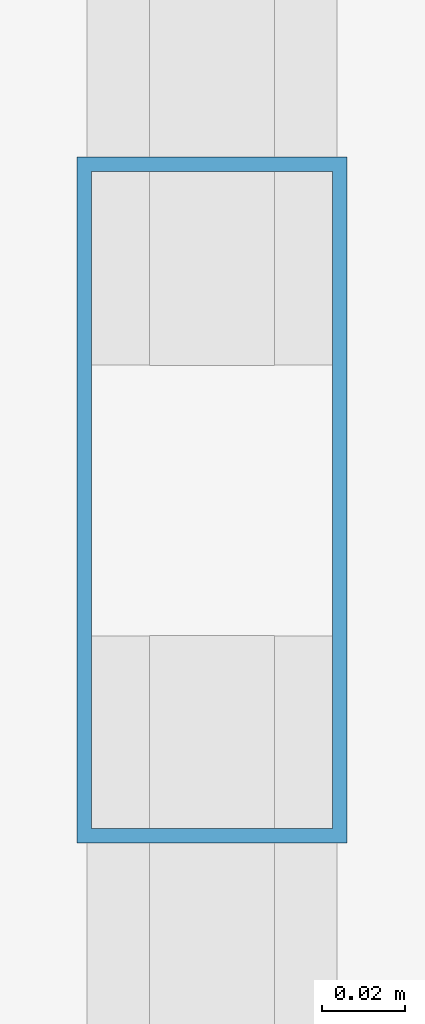
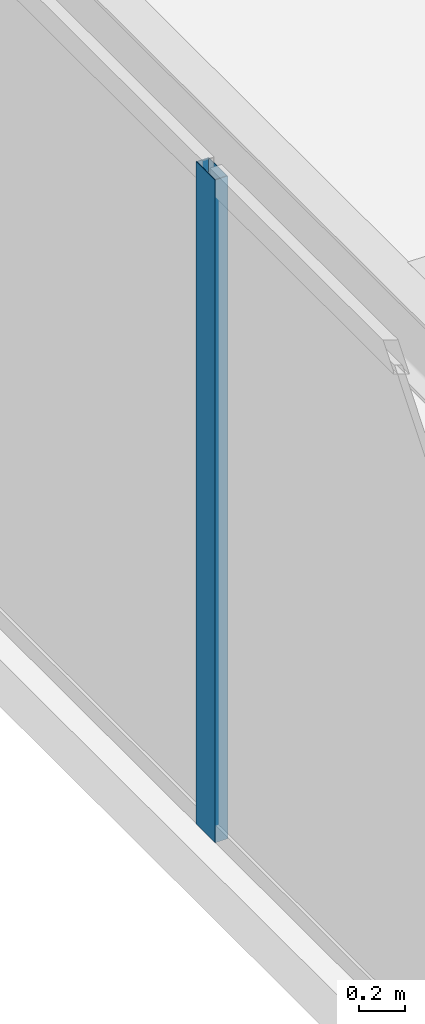
# One storey, part 7 of 29: 1 member, 1 element without a shape of its own.
"""IFC4 building model written with IfcOpenShell, lengths in metres."""

import ifcopenshell
import ifcopenshell.guid

model = None  # the IFC model being written
_history = None  # IfcOwnerHistory: only IFC2X3 demands one
_inside = {}  # id of a spatial element -> (the spatial element, [elements in it])
_under = {}  # id of a project, library or spatial element -> (it, [spatial elements below it])
_declared = {}  # id of a project -> (the project, [libraries it declares])
_typed = {}  # id of a type object -> (the type object, [elements of that type])
_made_of = {}  # id of a material, layer set ... -> (it, [elements and type objects made of it])


def new_model(schema):
    """Start an empty IFC model of exactly this schema.

    Asked for "IFC4X3", IfcOpenShell would pick the latest addendum, in which some entities
    have other attributes; the version numbers below select the first issue.
    IFC2X3 requires an IfcOwnerHistory on every rooted entity: one is made here for all.
    """
    global model, _history
    if schema == "IFC4X3":
        model = ifcopenshell.file(schema_version=(4, 3, 0, 0))
    else:
        model = ifcopenshell.file(schema=schema)
    _inside.clear()
    _under.clear()
    _declared.clear()
    _typed.clear()
    _made_of.clear()
    _history = None
    if model.schema == "IFC2X3":
        org = make("IfcOrganization", Name="unknown")
        user = make(
            "IfcPersonAndOrganization",
            ThePerson=make("IfcPerson", FamilyName="unknown"),
            TheOrganization=org,
        )
        app = make(
            "IfcApplication",
            ApplicationDeveloper=org,
            Version="unknown",
            ApplicationFullName="unknown",
            ApplicationIdentifier="unknown",
        )
        _history = make(
            "IfcOwnerHistory",
            OwningUser=user,
            OwningApplication=app,
            ChangeAction="ADDED",
            CreationDate=0,
        )
    return model


def make(cls, **values):
    """One entity of the class cls with the attributes given. An attribute that is None is left unset."""
    return model.create_entity(
        cls, **{name: value for name, value in values.items() if value is not None}
    )


def rooted(cls, **values):
    """An entity with a GlobalId (a new one), such as an element, a storey or a relation."""
    return make(cls, GlobalId=ifcopenshell.guid.new(), OwnerHistory=_history, **values)


def si_unit(unit_type, name, prefix=None):
    """IfcSIUnit, for example si_unit("LENGTHUNIT", "METRE", prefix="MILLI")."""
    return make("IfcSIUnit", UnitType=unit_type, Prefix=prefix, Name=name)


def assignment(units):
    """IfcUnitAssignment: the units of a project."""
    return None if units is None else make("IfcUnitAssignment", Units=units)


def point(xyz):
    """IfcCartesianPoint."""
    return None if xyz is None else make("IfcCartesianPoint", Coordinates=xyz)


def direction(xyz):
    """IfcDirection."""
    return None if xyz is None else make("IfcDirection", DirectionRatios=xyz)


def frame(location, z_axis=None, x_axis=None):
    """IfcAxis2Placement3D, a coordinate frame: its origin and axes. An axis left out is left unset."""
    return make(
        "IfcAxis2Placement3D",
        Location=point(location),
        Axis=direction(z_axis),
        RefDirection=direction(x_axis),
    )


def frame_2d(location, x_axis=None):
    """IfcAxis2Placement2D, a coordinate frame in the plane: its origin and x axis."""
    return make(
        "IfcAxis2Placement2D", Location=point(location), RefDirection=direction(x_axis)
    )


def origin():
    """The frame at (0, 0, 0) with its axes left unset."""
    return frame((0.0, 0.0, 0.0))


def origin_2d():
    """The frame at (0, 0) in the plane with its x axis left unset."""
    return frame_2d((0.0, 0.0))


def place(relative_to, where):
    """IfcLocalPlacement: puts the frame where relative to a parent placement (None: the world)."""
    return make(
        "IfcLocalPlacement", PlacementRelTo=relative_to, RelativePlacement=where
    )


def context(
    kind, dimensions, precision=None, world=None, true_north=None, identifier=None
):
    """IfcGeometricRepresentationContext, for example the 3D "Model" context."""
    return make(
        "IfcGeometricRepresentationContext",
        ContextIdentifier=identifier,
        ContextType=kind,
        CoordinateSpaceDimension=dimensions,
        Precision=precision,
        WorldCoordinateSystem=world,
        TrueNorth=true_north,
    )


def subcontext(parent, identifier, kind, view, scale=None):
    """IfcGeometricRepresentationSubContext, for example "Body" below "Model"."""
    return make(
        "IfcGeometricRepresentationSubContext",
        ContextIdentifier=identifier,
        ContextType=kind,
        ParentContext=parent,
        TargetScale=scale,
        TargetView=view,
    )


def project(units=None, contexts=None):
    """IfcProject with its units and contexts."""
    return rooted(
        "IfcProject",
        Name="project",
        RepresentationContexts=contexts,
        UnitsInContext=assignment(units),
    )


def spatial(cls, under=None, at=None, **own):
    """A site, building, storey or space (cls), placed at a placement, below another one or the project."""
    s = rooted(cls, ObjectPlacement=at, **own)
    if under is not None:
        _under.setdefault(under.id(), (under, []))[1].append(s)
    return s


def profile(cls, at=None, kind="AREA", **sizes):
    """A parametric profile (cls). Its sizes go by their IFC names, for example OverallWidth=200.0."""
    return make(cls, ProfileType=kind, Position=at, **sizes)


def hollow_rectangle(**sizes):
    """IfcRectangleHollowProfileDef."""
    return profile("IfcRectangleHollowProfileDef", **sizes)


def extrude(swept, where, along, depth):
    """IfcExtrudedAreaSolid: the profile swept, set in the frame where, extruded along a direction by depth."""
    return make(
        "IfcExtrudedAreaSolid",
        SweptArea=swept,
        Position=where,
        ExtrudedDirection=direction(along),
        Depth=depth,
    )


def shape(context_of_items, identifier, shape_type, items):
    """IfcShapeRepresentation: the items that make up one representation, for example the "Body"."""
    return make(
        "IfcShapeRepresentation",
        ContextOfItems=context_of_items,
        RepresentationIdentifier=identifier,
        RepresentationType=shape_type,
        Items=items,
    )


def source(mapping_origin, context_of_items, identifier, shape_type, items):
    """IfcRepresentationMap: a shape defined once, which mapped items show again and again."""
    return make(
        "IfcRepresentationMap",
        MappingOrigin=mapping_origin,
        MappedRepresentation=shape(context_of_items, identifier, shape_type, items),
    )


def transform(
    local_origin,
    x_axis=None,
    y_axis=None,
    z_axis=None,
    scale=None,
    scale2=None,
    scale3=None,
    uniform=True,
):
    """IfcCartesianTransformationOperator3D, or its non-uniform kind. x_axis, y_axis, z_axis: its Axis1, 2, 3."""
    if uniform:
        return make(
            "IfcCartesianTransformationOperator3D",
            Axis1=direction(x_axis),
            Axis2=direction(y_axis),
            LocalOrigin=point(local_origin),
            Scale=scale,
            Axis3=direction(z_axis),
        )
    return make(
        "IfcCartesianTransformationOperator3DnonUniform",
        Axis1=direction(x_axis),
        Axis2=direction(y_axis),
        LocalOrigin=point(local_origin),
        Scale=scale,
        Axis3=direction(z_axis),
        Scale2=scale2,
        Scale3=scale3,
    )


def mapped(mapping_source, mapping_target):
    """IfcMappedItem: shows the shape of a source again, moved by a transform."""
    return make(
        "IfcMappedItem", MappingSource=mapping_source, MappingTarget=mapping_target
    )


def material(Name=None, Category=None):
    """IfcMaterial."""
    return make("IfcMaterial", Name=Name, Category=Category)


def layer(
    of_material, thickness, ventilated=None, Name=None, Category=None, Priority=None
):
    """IfcMaterialLayer: one layer of a wall or slab, of a material (None: an air gap)."""
    return make(
        "IfcMaterialLayer",
        Material=of_material,
        LayerThickness=thickness,
        IsVentilated=ventilated,
        Name=Name,
        Category=Category,
        Priority=Priority,
    )


def layer_set(layers, Name=None):
    """IfcMaterialLayerSet."""
    return make("IfcMaterialLayerSet", MaterialLayers=layers, LayerSetName=Name)


def material_profile(
    of_material, cross_section, Name=None, Category=None, Priority=None
):
    """IfcMaterialProfile: a cross section and its material."""
    return make(
        "IfcMaterialProfile",
        Name=Name,
        Material=of_material,
        Profile=cross_section,
        Priority=Priority,
        Category=Category,
    )


def profile_set(profiles, Name=None, composite=None):
    """IfcMaterialProfileSet."""
    return make(
        "IfcMaterialProfileSet",
        Name=Name,
        MaterialProfiles=profiles,
        CompositeProfile=composite,
    )


def made_of(thing, what):
    """Note that an element or type object is made of a material, layer set ...; save() writes the relation."""
    if what is not None:
        _made_of.setdefault(what.id(), (what, []))[1].append(thing)
    return thing


def type_object(cls, material=None, **own):
    """A type object (cls), such as IfcWallType, which elements share."""
    return made_of(rooted(cls, **own), material)


def type_shapes(of_type, sources):
    """Give a type object the sources (RepresentationMaps) that its elements show as mapped items."""
    of_type.RepresentationMaps = sources


def element(
    cls,
    number,
    at=None,
    inside=None,
    cuts=None,
    type_object=None,
    material=None,
    context=None,
    identifier="Body",
    shape_type=None,
    held_by="IfcProductDefinitionShape",
    body=None,
    shapes=None,
    **own,
):
    """One element of the class cls, such as IfcWall. Its Tag is "e" and its number.

    at: its placement. inside: the storey or other place that contains it. cuts: it is an
    opening in that element (IfcRelVoidsElement). A single representation is given by context,
    identifier, shape_type and body (its items); several are given by shapes. held_by: the class
    of the entity that holds the representations. save() writes the other relations.
    """
    e = rooted(cls, Tag="e%d" % number, ObjectPlacement=at, **own)
    if body is not None:
        shapes = [shape(context, identifier, shape_type, body)]
    if shapes is not None:
        e.Representation = make(held_by, Representations=shapes)
    if inside is not None:
        _inside.setdefault(inside.id(), (inside, []))[1].append(e)
    if cuts is not None:
        rooted(
            "IfcRelVoidsElement", RelatingBuildingElement=cuts, RelatedOpeningElement=e
        )
    if type_object is not None:
        _typed.setdefault(type_object.id(), (type_object, []))[1].append(e)
    return made_of(e, material)


def aggregate(whole, parts):
    """IfcRelAggregates: a whole, such as a stair, and the parts it consists of."""
    return rooted("IfcRelAggregates", RelatingObject=whole, RelatedObjects=parts)


def save(model, path):
    """Write the relations noted so far, then the file.

    IfcRelAggregates (storeys below a building ...), IfcRelContainedInSpatialStructure (elements
    in a storey), IfcRelDefinesByType, IfcRelAssociatesMaterial and IfcRelDeclares: one each for
    every whole, place, type object, material and project.
    """
    for whole, parts in _under.values():
        aggregate(whole, parts)
    for where, things in _inside.values():
        rooted(
            "IfcRelContainedInSpatialStructure",
            RelatedElements=things,
            RelatingStructure=where,
        )
    for kind, things in _typed.values():
        rooted("IfcRelDefinesByType", RelatedObjects=things, RelatingType=kind)
    for what, things in _made_of.values():
        rooted("IfcRelAssociatesMaterial", RelatedObjects=things, RelatingMaterial=what)
    for by, libraries in _declared.values():
        rooted("IfcRelDeclares", RelatingContext=by, RelatedDefinitions=libraries)
    model.write(path)


model = new_model("IFC4")

# Units and contexts
model_context = context("Model", 3, precision=1e-05, world=origin(), true_north=direction((0.0, 1.0)))
body_context = subcontext(model_context, "Body", "Model", "MODEL_VIEW")
ifc_project = project(units=[si_unit("LENGTHUNIT", "METRE"), si_unit("AREAUNIT", "SQUARE_METRE"), si_unit("VOLUMEUNIT", "CUBIC_METRE"), si_unit("PLANEANGLEUNIT", "RADIAN"), si_unit("MASSUNIT", "GRAM", prefix="KILO")], contexts=[model_context])

# Site, building, storey
site_placement = place(None, origin())
site = spatial("IfcSite", under=ifc_project, at=site_placement, CompositionType="ELEMENT")
building_placement = place(site_placement, origin())
building = spatial("IfcBuilding", under=site, at=building_placement, Name="Varnel Quay Broadcast Tower", CompositionType="ELEMENT")
storey_placement = place(building_placement, frame((0.0, 0.0, 172.39990234375)))
storey = spatial("IfcBuildingStorey", under=building, at=storey_placement, Name="L42", CompositionType="ELEMENT", Elevation=172.39990234375)

# Curtain wall, member
ifc_material = material(Name="Anodised Bronze Aluminium 6063-T6", Category="aluminium")
ifc_layer = layer(ifc_material, 0.18994140625, Name="Anodised Bronze Aluminium 6063-T6")
ifc_layer_set = layer_set([ifc_layer], Name="Anodised Bronze Aluminium 6063-T6")
curtain_wall_type = type_object("IfcCurtainWallType", Name="CW_UpperTower", PredefinedType="NOTDEFINED", material=ifc_layer_set)
curtain_wall_placement = place(storey_placement, origin())
curtain_wall = element("IfcCurtainWall", 1, at=curtain_wall_placement, inside=storey, type_object=curtain_wall_type, Name="L42 West Unitised Curtain Wall", PredefinedType="NOTDEFINED")
ifc_material_profile = material_profile(ifc_material, hollow_rectangle(XDim=0.06494140625, YDim=0.1650390625, WallThickness=0.00341796875, at=origin_2d()), Name="ALU65X165X3.5")
ifc_profile_set = profile_set([ifc_material_profile], Name="Anodised Bronze Aluminium 6063-T6")
member_type = type_object("IfcMemberType", Name="Mull_CWS-03", PredefinedType="MULLION", material=ifc_profile_set)
shared_shape = source(origin(), body_context, "Body", "SweptSolid", [
    extrude(hollow_rectangle(XDim=0.06494140625, YDim=0.1650390625, WallThickness=0.00341796875, at=origin_2d()), origin(), (0.0, 0.0, 1.0), 3.550048828125),
])
type_shapes(member_type, [shared_shape])
member_placement = place(storey_placement, frame((7.14990234375, 21.60009765625, 0.0), z_axis=(0.0, 0.0, 1.0), x_axis=(-1.0, 0.0, 0.0)))
member = element("IfcMember", 2, at=member_placement, type_object=member_type, Name="CWS-03 mullion 2", PredefinedType="MULLION", context=body_context, shape_type="MappedRepresentation", body=[
    mapped(shared_shape, transform((0.0, 0.0, 0.0), x_axis=(1.0, 0.0, 0.0), y_axis=(0.0, 1.0, 0.0), z_axis=(0.0, 0.0, 1.0), scale=1.0)),
])
aggregate(curtain_wall, [member])

save(model, "model.ifc")
